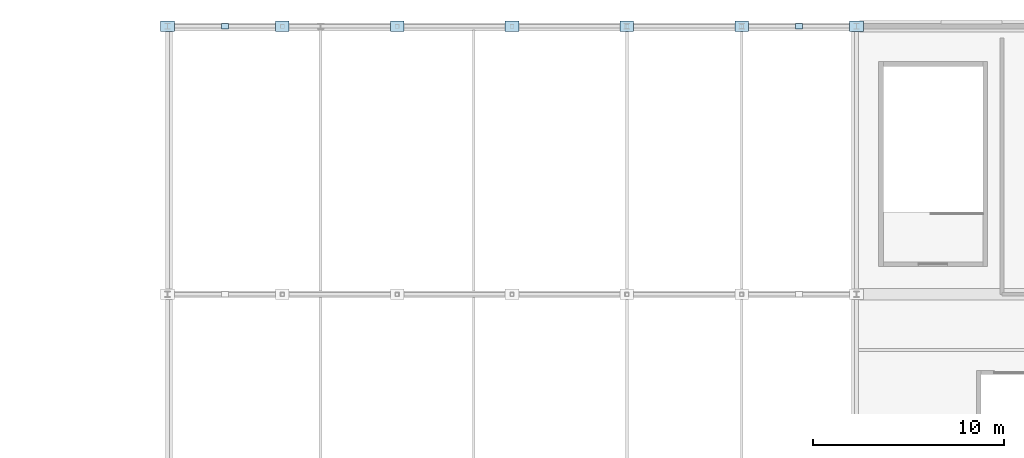
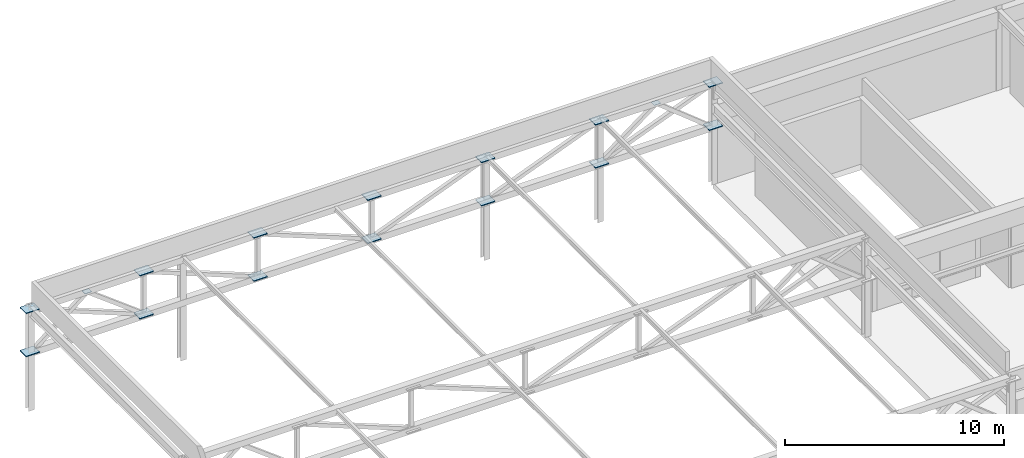
# One storey, part 92 of 122: 16 plates.
"""IFC4 building model written with IfcOpenShell, lengths in metres."""

from ifc_helpers import new_model, si_unit, direction, frame, origin, origin_2d, place, context, subcontext, project, spatial, rectangle, extrude, material, layer, layer_set, type_object, element, save


model = new_model("IFC4")

# Units and contexts
model_context = context("Model", 3, precision=1e-05, world=origin(), true_north=direction((0.0, 1.0)))
body_context = subcontext(model_context, "Body", "Model", "MODEL_VIEW")
ifc_project = project(units=[si_unit("LENGTHUNIT", "METRE"), si_unit("AREAUNIT", "SQUARE_METRE"), si_unit("VOLUMEUNIT", "CUBIC_METRE"), si_unit("PLANEANGLEUNIT", "RADIAN"), si_unit("MASSUNIT", "GRAM", prefix="KILO")], contexts=[model_context])

# Site, building, storey
site_placement = place(None, origin())
site = spatial("IfcSite", under=ifc_project, at=site_placement, CompositionType="ELEMENT")
building_placement = place(site_placement, origin())
building = spatial("IfcBuilding", under=site, at=building_placement, Name="Cuetzalor Civic Arena", CompositionType="ELEMENT")
storey_placement = place(building_placement, frame((0.0, 0.0, 16.199951171875)))
storey = spatial("IfcBuildingStorey", under=building, at=storey_placement, Name="L03", CompositionType="ELEMENT", Elevation=16.199951171875)

# Plates
ifc_material_1 = material(Name="Steel S355", Category="steel")
ifc_layer_1 = layer(ifc_material_1, 0.048095703125)
ifc_layer_set_1 = layer_set([ifc_layer_1], Name="Steel S355")
plate_type_1 = type_object("IfcPlateType", Name="NodalGussetPlate_GP08", PredefinedType="USERDEFINED", material=ifc_layer_set_1)
for number, where, z_axis, x_axis, name in (
    (1, (-72.0, 75.5, 3.17578125), (0.0, 0.0, 1.0), (1.0, 0.0, 0.0), "Pratt Truss Node Gusset T3-N0-19"),
    (2, (-72.0, 75.5, 5.576171875), (0.0, 0.0, 1.0), (1.0, 0.0, 0.0), "Pratt Truss Node Gusset T3-N0-21"),
    (3, (-66.0, 75.5, 3.17578125), (0.0, 0.0, 1.0), (1.0, 0.0, 0.0), "Pratt Truss Node Gusset T3-N1-19"),
    (4, (-66.0, 75.5, 5.576171875), (0.0, 0.0, 1.0), (1.0, 0.0, 0.0), "Pratt Truss Node Gusset T3-N1-21"),
    (5, (-60.0, 75.5, 3.17578125), (0.0, 0.0, 1.0), (1.0, 0.0, 0.0), "Pratt Truss Node Gusset T3-N2-19"),
    (6, (-60.0, 75.5, 5.576171875), (0.0, 0.0, 1.0), (1.0, 0.0, 0.0), "Pratt Truss Node Gusset T3-N2-21"),
    (7, (-54.0, 75.5, 3.17578125), (0.0, 0.0, 1.0), (1.0, 0.0, 0.0), "Pratt Truss Node Gusset T3-N3-19"),
    (8, (-54.0, 75.5, 5.576171875), (0.0, 0.0, 1.0), (1.0, 0.0, 0.0), "Pratt Truss Node Gusset T3-N3-21"),
    (9, (-48.0, 75.5, 3.17578125), (0.0, 0.0, 1.0), (1.0, 0.0, 0.0), "Pratt Truss Node Gusset T3-N4-19"),
    (10, (-48.0, 75.5, 5.576171875), (0.0, 0.0, 1.0), (1.0, 0.0, 0.0), "Pratt Truss Node Gusset T3-N4-21"),
    (11, (-42.0, 75.5, 3.17578125), (0.0, 0.0, 1.0), (1.0, 0.0, 0.0), "Pratt Truss Node Gusset T3-N5-19"),
    (12, (-42.0, 75.5, 5.576171875), (0.0, 0.0, 1.0), (1.0, 0.0, 0.0), "Pratt Truss Node Gusset T3-N5-21"),
    (13, (-36.0, 75.5, 3.17578125), (0.0, 0.0, 1.0), (1.0, 0.0, 0.0), "Pratt Truss Node Gusset T3-N6-19"),
    (14, (-36.0, 75.5, 5.576171875), (0.0, 0.0, 1.0), (1.0, 0.0, 0.0), "Pratt Truss Node Gusset T3-N6-21"),
):
    element("IfcPlate", number, at=place(storey_placement, frame(where, z_axis=z_axis, x_axis=x_axis)), inside=storey, type_object=plate_type_1, Name=name, ObjectType="GUSSET PLATE", PredefinedType="USERDEFINED", context=body_context, shape_type="SweptSolid", body=[
        extrude(rectangle(XDim=0.719970703125, YDim=0.56005859375, at=origin_2d()), origin(), (0.0, 0.0, 1.0), 0.048095703125),
    ])
ifc_material_2 = material(Name="Steel S355", Category="steel")
ifc_layer_2 = layer(ifc_material_2, 0.01611328125)
ifc_layer_set_2 = layer_set([ifc_layer_2], Name="Steel S355")
plate_type_2 = type_object("IfcPlateType", Name="TubeEndCapPlate_CP02", PredefinedType="SHEET", material=ifc_layer_set_2)
for number, where, z_axis, x_axis, name in (
    (15, (-69.0, 75.5, 5.491943359375), (0.0, 0.0, 1.0), (1.0, 0.0, 0.0), "Pratt Sub-Panel Node Cap Plate T3-1"),
    (16, (-39.0, 75.5, 5.491943359375), (0.0, 0.0, 1.0), (1.0, 0.0, 0.0), "Pratt Sub-Panel Node Cap Plate T3-2"),
):
    element("IfcPlate", number, at=place(storey_placement, frame(where, z_axis=z_axis, x_axis=x_axis)), inside=storey, type_object=plate_type_2, Name=name, PredefinedType="SHEET", context=body_context, shape_type="SweptSolid", body=[
        extrude(rectangle(XDim=0.360107421875, YDim=0.300048828125, at=origin_2d()), origin(), (0.0, 0.0, 1.0), 0.01611328125),
    ])

save(model, "model.ifc")
